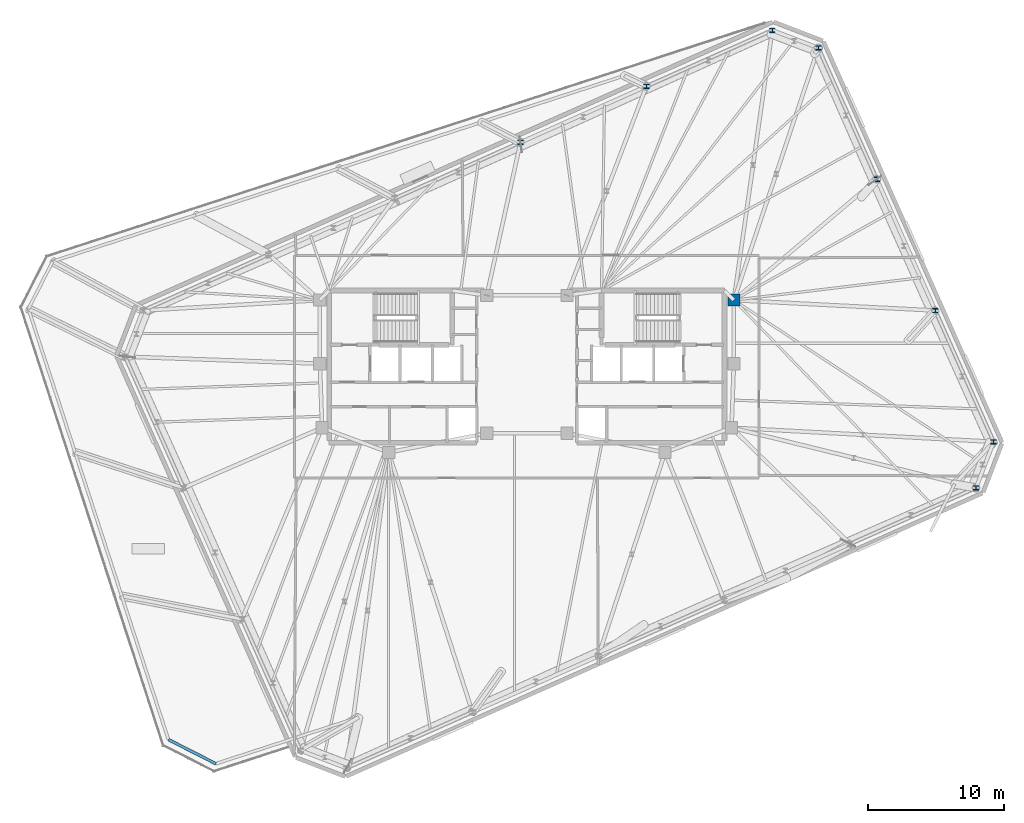
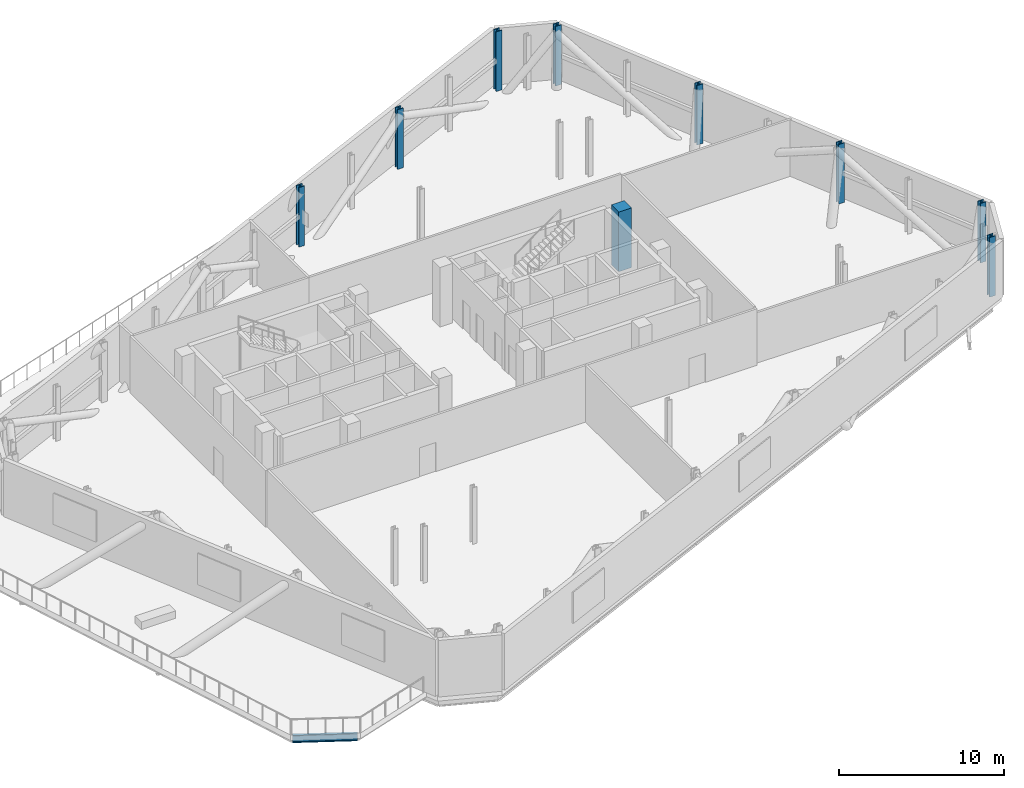
# One storey, part 3 of 15: 9 columns, 1 beam.
"""IFC4 building model written with IfcOpenShell, lengths in metres."""

from ifc_helpers import new_model, si_unit, direction, frame, origin, origin_2d, place, context, subcontext, project, spatial, rectangle, i_section, extrude, material, material_profile, profile_set, type_object, element, save


model = new_model("IFC4")

# Units and contexts
model_context = context("Model", 3, precision=1e-05, world=origin(), true_north=direction((0.0, 1.0)))
body_context = subcontext(model_context, "Body", "Model", "MODEL_VIEW")
ifc_project = project(units=[si_unit("LENGTHUNIT", "METRE"), si_unit("AREAUNIT", "SQUARE_METRE"), si_unit("VOLUMEUNIT", "CUBIC_METRE"), si_unit("PLANEANGLEUNIT", "RADIAN"), si_unit("MASSUNIT", "GRAM", prefix="KILO")], contexts=[model_context])

# Site, building, storey
site_placement = place(None, origin())
site = spatial("IfcSite", under=ifc_project, at=site_placement, CompositionType="ELEMENT")
building_placement = place(site_placement, origin())
building = spatial("IfcBuilding", under=site, at=building_placement, Name="Menara Jurai Vektor", CompositionType="ELEMENT")
storey_placement = place(building_placement, frame((0.0, 0.0, 254.449951171875)))
storey = spatial("IfcBuildingStorey", under=building, at=storey_placement, Name="L68", CompositionType="ELEMENT", Elevation=254.449951171875)

# Columns
ifc_material_1 = material(Name="Concrete C50/60", Category="concrete")
ifc_material_profile_1 = material_profile(ifc_material_1, rectangle(XDim=0.89990234375, YDim=0.89990234375, at=origin_2d()), Name="RC 900x900")
ifc_profile_set_1 = profile_set([ifc_material_profile_1], Name="Concrete C50/60")
column_type_1 = type_object("IfcColumnType", Name="STR-COL-RC900", PredefinedType="COLUMN", material=ifc_profile_set_1)
column_placement = place(storey_placement, frame((15.25, 4.89990234375, 0.0), z_axis=(0.0, 0.0, 1.0), x_axis=(1.0, 0.0, 0.0)))
element("IfcColumn", 1, at=column_placement, inside=storey, type_object=column_type_1, Name="Core Spine Column CE-NE L68", PredefinedType="COLUMN", context=body_context, shape_type="SweptSolid", body=[
    extrude(rectangle(XDim=0.89990234375, YDim=0.89990234375, at=origin_2d()), origin(), (0.0, 0.0, 1.0), 4.400146484375),
])
ifc_material_2 = material(Name="Steel S460", Category="steel")
ifc_material_profile_2 = material_profile(ifc_material_2, i_section(OverallWidth=0.40087890625, OverallDepth=0.3349609375, WebThickness=0.035888671875, FlangeThickness=0.05810546875, FilletRadius=0.014892578125, at=origin_2d()), Name="HD 400x463")
ifc_profile_set_2 = profile_set([ifc_material_profile_2], Name="Steel S460")
column_type_2 = type_object("IfcColumnType", Name="STR-EXO-BLK5", PredefinedType="COLUMN", material=ifc_profile_set_2)
for number, where, z_axis, x_axis, name in (
    (2, (33.088134765625, -8.932861328125, 0.0), (0.0, 0.0, 1.0), (1.0, 0.0, 0.0), "Exoskeleton Column BLK5-S6 L68"),
    (3, (34.3916015625, -5.536865234375, 0.0), (0.0, 0.0, 1.0), (1.0, 0.0, 0.0), "Exoskeleton Column BLK5-E1 L68"),
    (4, (30.086181640625, 4.13330078125, 0.0), (0.0, 0.0, 1.0), (1.0, 0.0, 0.0), "Exoskeleton Column BLK5-E2 L68"),
    (5, (25.781005859375, 13.80322265625, 0.0), (0.0, 0.0, 1.0), (1.0, 0.0, 0.0), "Exoskeleton Column BLK5-E3 L68"),
    (6, (21.4755859375, 23.473388671875, 0.0), (0.0, 0.0, 1.0), (1.0, 0.0, 0.0), "Exoskeleton Column BLK5-E4 L68"),
    (7, (18.07958984375, 24.777099609375, 0.0), (0.0, 0.0, 1.0), (1.0, 0.0, 0.0), "Exoskeleton Column BLK5-N1 L68"),
    (8, (8.805908203125, 20.648193359375, 0.0), (0.0, 0.0, 1.0), (1.0, 0.0, 0.0), "Exoskeleton Column BLK5-N2 L68"),
    (9, (-0.467529296875, 16.519287109375, 0.0), (0.0, 0.0, 1.0), (1.0, 0.0, 0.0), "Exoskeleton Column BLK5-N3 L68"),
):
    element("IfcColumn", number, at=place(storey_placement, frame(where, z_axis=z_axis, x_axis=x_axis)), inside=storey, type_object=column_type_2, Name=name, PredefinedType="COLUMN", context=body_context, shape_type="SweptSolid", body=[
        extrude(i_section(OverallWidth=0.40087890625, OverallDepth=0.3349609375, WebThickness=0.035888671875, FlangeThickness=0.05810546875, FilletRadius=0.014892578125, at=origin_2d()), origin(), (0.0, 0.0, 1.0), 4.400146484375),
    ])

# Beam
ifc_material_3 = material(Name="Steel S355", Category="steel")
ifc_material_profile_3 = material_profile(ifc_material_3, i_section(OverallWidth=0.2109375, OverallDepth=0.5390625, WebThickness=0.011962890625, FlangeThickness=0.01904296875, FilletRadius=0.012939453125, at=origin_2d()), Name="UKB 533x210x109")
ifc_profile_set_3 = profile_set([ifc_material_profile_3], Name="Steel S355")
beam_type = type_object("IfcBeamType", Name="STR-BM-533", PredefinedType="BEAM", material=ifc_profile_set_3)
beam_placement = place(storey_placement, frame((-26.406005859375, -27.47119140625, -0.674560546875), z_axis=(0.891013832566, -0.453976155955, 0.0), x_axis=(0.453976155955, 0.891013832566, 0.0)))
element("IfcBeam", 10, at=beam_placement, inside=storey, type_object=beam_type, Name="Step Terrace Edge Beam L68-20", PredefinedType="BEAM", context=body_context, shape_type="SweptSolid", body=[
    extrude(i_section(OverallWidth=0.2109375, OverallDepth=0.5390625, WebThickness=0.011962890625, FlangeThickness=0.01904296875, FilletRadius=0.012939453125, at=origin_2d()), origin(), (0.0, 0.0, 1.0), 3.92041015625),
])

save(model, "model.ifc")
